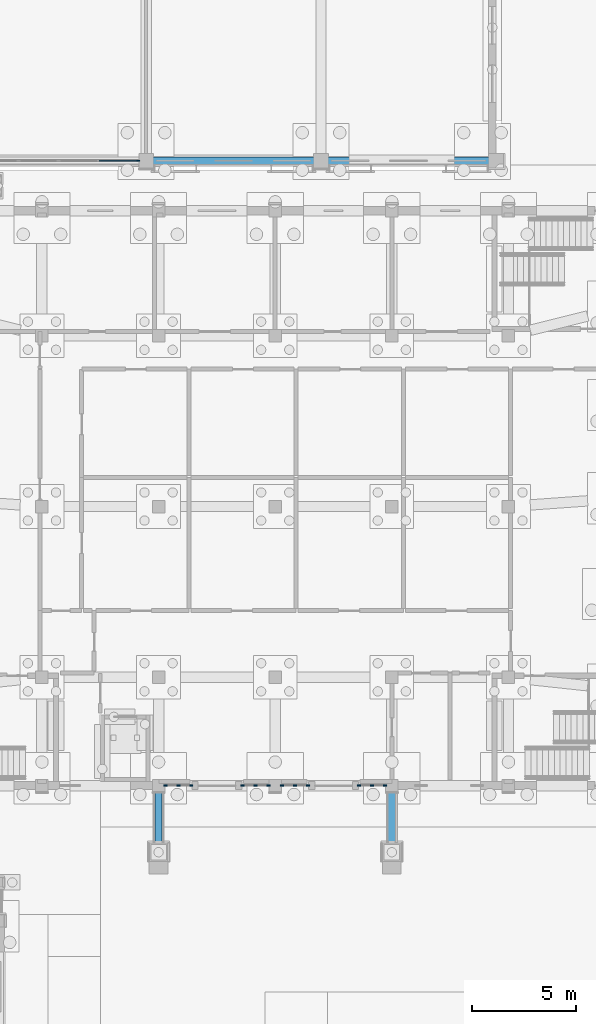
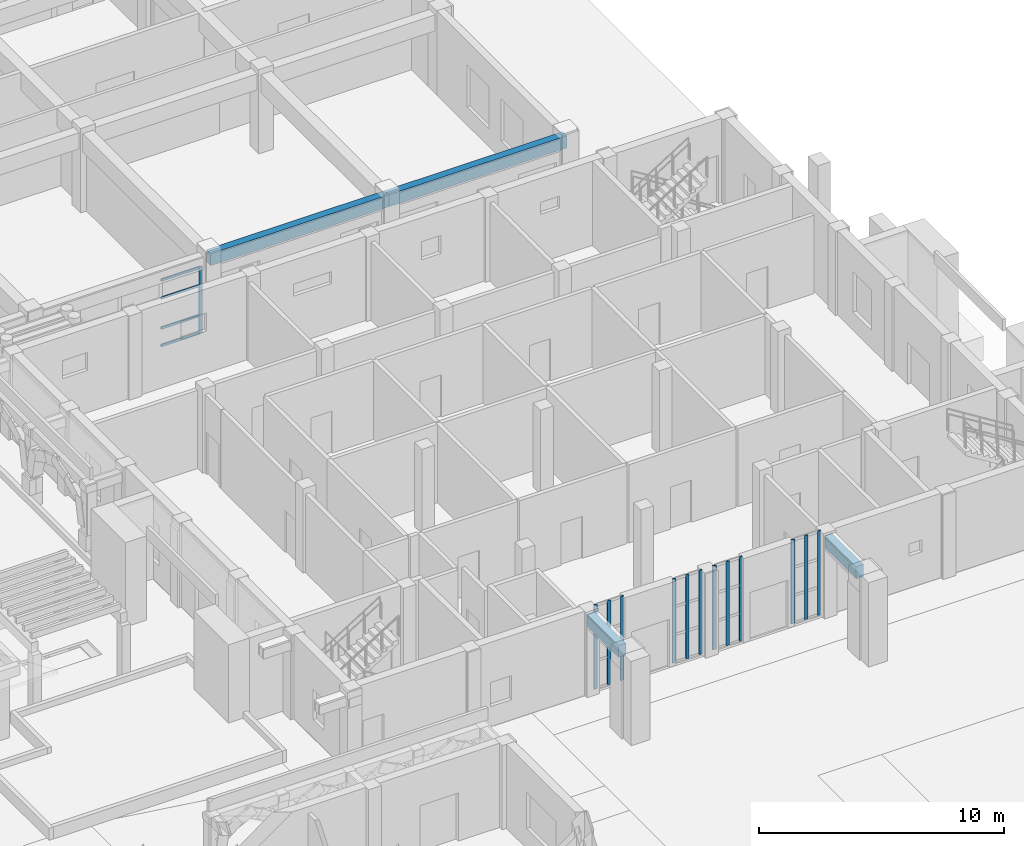
# One storey, part 42 of 112: 17 members, 4 beams, 5 elements without a shape of their own.
"""IFC4 building model written with IfcOpenShell, lengths in metres."""

import ifcopenshell
import ifcopenshell.guid

model = None  # the IFC model being written
_history = None  # IfcOwnerHistory: only IFC2X3 demands one
_inside = {}  # id of a spatial element -> (the spatial element, [elements in it])
_under = {}  # id of a project, library or spatial element -> (it, [spatial elements below it])
_declared = {}  # id of a project -> (the project, [libraries it declares])
_typed = {}  # id of a type object -> (the type object, [elements of that type])
_made_of = {}  # id of a material, layer set ... -> (it, [elements and type objects made of it])


def new_model(schema):
    """Start an empty IFC model of exactly this schema.

    Asked for "IFC4X3", IfcOpenShell would pick the latest addendum, in which some entities
    have other attributes; the version numbers below select the first issue.
    IFC2X3 requires an IfcOwnerHistory on every rooted entity: one is made here for all.
    """
    global model, _history
    if schema == "IFC4X3":
        model = ifcopenshell.file(schema_version=(4, 3, 0, 0))
    else:
        model = ifcopenshell.file(schema=schema)
    _inside.clear()
    _under.clear()
    _declared.clear()
    _typed.clear()
    _made_of.clear()
    _history = None
    if model.schema == "IFC2X3":
        org = make("IfcOrganization", Name="unknown")
        user = make(
            "IfcPersonAndOrganization",
            ThePerson=make("IfcPerson", FamilyName="unknown"),
            TheOrganization=org,
        )
        app = make(
            "IfcApplication",
            ApplicationDeveloper=org,
            Version="unknown",
            ApplicationFullName="unknown",
            ApplicationIdentifier="unknown",
        )
        _history = make(
            "IfcOwnerHistory",
            OwningUser=user,
            OwningApplication=app,
            ChangeAction="ADDED",
            CreationDate=0,
        )
    return model


def make(cls, **values):
    """One entity of the class cls with the attributes given. An attribute that is None is left unset."""
    return model.create_entity(
        cls, **{name: value for name, value in values.items() if value is not None}
    )


def rooted(cls, **values):
    """An entity with a GlobalId (a new one), such as an element, a storey or a relation."""
    return make(cls, GlobalId=ifcopenshell.guid.new(), OwnerHistory=_history, **values)


def si_unit(unit_type, name, prefix=None):
    """IfcSIUnit, for example si_unit("LENGTHUNIT", "METRE", prefix="MILLI")."""
    return make("IfcSIUnit", UnitType=unit_type, Prefix=prefix, Name=name)


def assignment(units):
    """IfcUnitAssignment: the units of a project."""
    return None if units is None else make("IfcUnitAssignment", Units=units)


def point(xyz):
    """IfcCartesianPoint."""
    return None if xyz is None else make("IfcCartesianPoint", Coordinates=xyz)


def direction(xyz):
    """IfcDirection."""
    return None if xyz is None else make("IfcDirection", DirectionRatios=xyz)


def frame(location, z_axis=None, x_axis=None):
    """IfcAxis2Placement3D, a coordinate frame: its origin and axes. An axis left out is left unset."""
    return make(
        "IfcAxis2Placement3D",
        Location=point(location),
        Axis=direction(z_axis),
        RefDirection=direction(x_axis),
    )


def frame_2d(location, x_axis=None):
    """IfcAxis2Placement2D, a coordinate frame in the plane: its origin and x axis."""
    return make(
        "IfcAxis2Placement2D", Location=point(location), RefDirection=direction(x_axis)
    )


def origin():
    """The frame at (0, 0, 0) with its axes left unset."""
    return frame((0.0, 0.0, 0.0))


def origin_2d():
    """The frame at (0, 0) in the plane with its x axis left unset."""
    return frame_2d((0.0, 0.0))


def place(relative_to, where):
    """IfcLocalPlacement: puts the frame where relative to a parent placement (None: the world)."""
    return make(
        "IfcLocalPlacement", PlacementRelTo=relative_to, RelativePlacement=where
    )


def context(
    kind, dimensions, precision=None, world=None, true_north=None, identifier=None
):
    """IfcGeometricRepresentationContext, for example the 3D "Model" context."""
    return make(
        "IfcGeometricRepresentationContext",
        ContextIdentifier=identifier,
        ContextType=kind,
        CoordinateSpaceDimension=dimensions,
        Precision=precision,
        WorldCoordinateSystem=world,
        TrueNorth=true_north,
    )


def subcontext(parent, identifier, kind, view, scale=None):
    """IfcGeometricRepresentationSubContext, for example "Body" below "Model"."""
    return make(
        "IfcGeometricRepresentationSubContext",
        ContextIdentifier=identifier,
        ContextType=kind,
        ParentContext=parent,
        TargetScale=scale,
        TargetView=view,
    )


def project(units=None, contexts=None):
    """IfcProject with its units and contexts."""
    return rooted(
        "IfcProject",
        Name="project",
        RepresentationContexts=contexts,
        UnitsInContext=assignment(units),
    )


def spatial(cls, under=None, at=None, **own):
    """A site, building, storey or space (cls), placed at a placement, below another one or the project."""
    s = rooted(cls, ObjectPlacement=at, **own)
    if under is not None:
        _under.setdefault(under.id(), (under, []))[1].append(s)
    return s


def profile(cls, at=None, kind="AREA", **sizes):
    """A parametric profile (cls). Its sizes go by their IFC names, for example OverallWidth=200.0."""
    return make(cls, ProfileType=kind, Position=at, **sizes)


def rectangle(**sizes):
    """IfcRectangleProfileDef."""
    return profile("IfcRectangleProfileDef", **sizes)


def extrude(swept, where, along, depth):
    """IfcExtrudedAreaSolid: the profile swept, set in the frame where, extruded along a direction by depth."""
    return make(
        "IfcExtrudedAreaSolid",
        SweptArea=swept,
        Position=where,
        ExtrudedDirection=direction(along),
        Depth=depth,
    )


def shape(context_of_items, identifier, shape_type, items):
    """IfcShapeRepresentation: the items that make up one representation, for example the "Body"."""
    return make(
        "IfcShapeRepresentation",
        ContextOfItems=context_of_items,
        RepresentationIdentifier=identifier,
        RepresentationType=shape_type,
        Items=items,
    )


def material(Name=None, Category=None):
    """IfcMaterial."""
    return make("IfcMaterial", Name=Name, Category=Category)


def layer(
    of_material, thickness, ventilated=None, Name=None, Category=None, Priority=None
):
    """IfcMaterialLayer: one layer of a wall or slab, of a material (None: an air gap)."""
    return make(
        "IfcMaterialLayer",
        Material=of_material,
        LayerThickness=thickness,
        IsVentilated=ventilated,
        Name=Name,
        Category=Category,
        Priority=Priority,
    )


def layer_set(layers, Name=None):
    """IfcMaterialLayerSet."""
    return make("IfcMaterialLayerSet", MaterialLayers=layers, LayerSetName=Name)


def material_profile(
    of_material, cross_section, Name=None, Category=None, Priority=None
):
    """IfcMaterialProfile: a cross section and its material."""
    return make(
        "IfcMaterialProfile",
        Name=Name,
        Material=of_material,
        Profile=cross_section,
        Priority=Priority,
        Category=Category,
    )


def profile_set(profiles, Name=None, composite=None):
    """IfcMaterialProfileSet."""
    return make(
        "IfcMaterialProfileSet",
        Name=Name,
        MaterialProfiles=profiles,
        CompositeProfile=composite,
    )


def made_of(thing, what):
    """Note that an element or type object is made of a material, layer set ...; save() writes the relation."""
    if what is not None:
        _made_of.setdefault(what.id(), (what, []))[1].append(thing)
    return thing


def type_object(cls, material=None, **own):
    """A type object (cls), such as IfcWallType, which elements share."""
    return made_of(rooted(cls, **own), material)


def element(
    cls,
    number,
    at=None,
    inside=None,
    cuts=None,
    type_object=None,
    material=None,
    context=None,
    identifier="Body",
    shape_type=None,
    held_by="IfcProductDefinitionShape",
    body=None,
    shapes=None,
    **own,
):
    """One element of the class cls, such as IfcWall. Its Tag is "e" and its number.

    at: its placement. inside: the storey or other place that contains it. cuts: it is an
    opening in that element (IfcRelVoidsElement). A single representation is given by context,
    identifier, shape_type and body (its items); several are given by shapes. held_by: the class
    of the entity that holds the representations. save() writes the other relations.
    """
    e = rooted(cls, Tag="e%d" % number, ObjectPlacement=at, **own)
    if body is not None:
        shapes = [shape(context, identifier, shape_type, body)]
    if shapes is not None:
        e.Representation = make(held_by, Representations=shapes)
    if inside is not None:
        _inside.setdefault(inside.id(), (inside, []))[1].append(e)
    if cuts is not None:
        rooted(
            "IfcRelVoidsElement", RelatingBuildingElement=cuts, RelatedOpeningElement=e
        )
    if type_object is not None:
        _typed.setdefault(type_object.id(), (type_object, []))[1].append(e)
    return made_of(e, material)


def aggregate(whole, parts):
    """IfcRelAggregates: a whole, such as a stair, and the parts it consists of."""
    return rooted("IfcRelAggregates", RelatingObject=whole, RelatedObjects=parts)


def save(model, path):
    """Write the relations noted so far, then the file.

    IfcRelAggregates (storeys below a building ...), IfcRelContainedInSpatialStructure (elements
    in a storey), IfcRelDefinesByType, IfcRelAssociatesMaterial and IfcRelDeclares: one each for
    every whole, place, type object, material and project.
    """
    for whole, parts in _under.values():
        aggregate(whole, parts)
    for where, things in _inside.values():
        rooted(
            "IfcRelContainedInSpatialStructure",
            RelatedElements=things,
            RelatingStructure=where,
        )
    for kind, things in _typed.values():
        rooted("IfcRelDefinesByType", RelatedObjects=things, RelatingType=kind)
    for what, things in _made_of.values():
        rooted("IfcRelAssociatesMaterial", RelatedObjects=things, RelatingMaterial=what)
    for by, libraries in _declared.values():
        rooted("IfcRelDeclares", RelatingContext=by, RelatedDefinitions=libraries)
    model.write(path)


model = new_model("IFC4")

# Units and contexts
model_context = context("Model", 3, precision=1e-05, world=origin(), true_north=direction((0.0, 1.0)))
body_context = subcontext(model_context, "Body", "Model", "MODEL_VIEW")
ifc_project = project(units=[si_unit("LENGTHUNIT", "METRE"), si_unit("AREAUNIT", "SQUARE_METRE"), si_unit("VOLUMEUNIT", "CUBIC_METRE"), si_unit("PLANEANGLEUNIT", "RADIAN"), si_unit("MASSUNIT", "GRAM", prefix="KILO")], contexts=[model_context])

# Site, building, storey
site_placement = place(None, origin())
site = spatial("IfcSite", under=ifc_project, at=site_placement, CompositionType="ELEMENT")
building_placement = place(site_placement, origin())
building = spatial("IfcBuilding", under=site, at=building_placement, Name="Wasatch Bagh Community Centre", CompositionType="ELEMENT")
storey_placement = place(building_placement, origin())
storey = spatial("IfcBuildingStorey", under=building, at=storey_placement, Name="L00", CompositionType="ELEMENT", Elevation=0.0)

# Beams
ifc_material_1 = material(Name="Concrete C35", Category="concrete")
ifc_material_profile_1 = material_profile(ifc_material_1, rectangle(XDim=0.35009765625, YDim=0.60009765625, at=origin_2d()), Name="RC 350x600")
ifc_profile_set_1 = profile_set([ifc_material_profile_1], Name="Concrete C35")
beam_type_1 = type_object("IfcBeamType", Name="CL-B4", PredefinedType="BEAM", material=ifc_profile_set_1)
for number, where, z_axis, x_axis, name in (
    (1, (123.39990234375, 38.0, 3.699951171875), (0.0, -1.0, 0.0), (1.0, 0.0, 0.0), "CL-B4 tie SHP1.1"),
    (2, (134.60009765625, 38.0, 3.699951171875), (0.0, -1.0, 0.0), (1.0, 0.0, 0.0), "CL-B4 tie SHP2.1"),
):
    element("IfcBeam", number, at=place(storey_placement, frame(where, z_axis=z_axis, x_axis=x_axis)), inside=storey, type_object=beam_type_1, Name=name, PredefinedType="BEAM", context=body_context, shape_type="SweptSolid", body=[
        extrude(rectangle(XDim=0.35009765625, YDim=0.60009765625, at=origin_2d()), origin(), (0.0, 0.0, 1.0), 2.550048828125),
    ])
ifc_material_profile_2 = material_profile(ifc_material_1, rectangle(XDim=0.35009765625, YDim=0.60009765625, at=origin_2d()), Name="RC 350x600")
ifc_profile_set_2 = profile_set([ifc_material_profile_2], Name="Concrete C35")
beam_type_2 = type_object("IfcBeamType", Name="LW RC 350x600", PredefinedType="BEAM", material=ifc_profile_set_2)
beam_1_placement = place(storey_placement, frame((122.800048828125, 68.199951171875, 3.6201171875), z_axis=(1.0, 0.0, 0.0), x_axis=(0.0, 1.0, 0.0)))
element("IfcBeam", 3, at=beam_1_placement, inside=storey, type_object=beam_type_2, Name="W8-W9Z", PredefinedType="BEAM", context=body_context, shape_type="SweptSolid", body=[
    extrude(rectangle(XDim=0.35009765625, YDim=0.60009765625, at=origin_2d()), origin(), (0.0, 0.0, 1.0), 8.39990234375),
])
beam_2_placement = place(storey_placement, frame((131.199951171875, 68.199951171875, 3.6201171875), z_axis=(1.0, 0.0, 0.0), x_axis=(0.0, 1.0, 0.0)))
element("IfcBeam", 4, at=beam_2_placement, inside=storey, type_object=beam_type_2, Name="W9-W10Z", PredefinedType="BEAM", context=body_context, shape_type="SweptSolid", body=[
    extrude(rectangle(XDim=0.35009765625, YDim=0.60009765625, at=origin_2d()), origin(), (0.0, 0.0, 1.0), 8.400146484375),
])

# Curtain wall, members
ifc_material_2 = material(Name="Aluminium curtain wall frame with low-iron glass", Category="aluminium")
ifc_layer_1 = layer(ifc_material_2, 0.139892578125)
ifc_layer_set_1 = layer_set([ifc_layer_1], Name="Aluminium curtain wall frame with low-iron glass")
curtain_wall_type_1 = type_object("IfcCurtainWallType", Name="LW terrace front curtain wall 140", PredefinedType="NOTDEFINED", material=ifc_layer_set_1)
curtain_wall_1_placement = place(storey_placement, origin())
curtain_wall_1 = element("IfcCurtainWall", 5, at=curtain_wall_1_placement, inside=storey, type_object=curtain_wall_type_1, Name="Curtain wall 00.05", PredefinedType="NOTDEFINED")
ifc_material_3 = material(Name="Aluminium extrusion", Category="aluminium")
ifc_material_profile_3 = material_profile(ifc_material_3, rectangle(XDim=0.06005859375, YDim=0.159912109375, at=origin_2d()), Name="AL 60x160")
ifc_profile_set_3 = profile_set([ifc_material_profile_3], Name="Aluminium extrusion")
member_type_1 = type_object("IfcMemberType", Name="LW curtain wall mullion 60x160 LW-CW3", PredefinedType="MULLION", material=ifc_profile_set_3)
member_1_placement = place(storey_placement, frame((122.419921875, 68.199951171875, 0.0), z_axis=(0.0, 0.0, 1.0), x_axis=(0.0, 1.0, 0.0)))
member_1 = element("IfcMember", 6, at=member_1_placement, type_object=member_type_1, Name="LW-CW3 mullion 5", PredefinedType="MULLION", context=body_context, shape_type="SweptSolid", body=[
    extrude(rectangle(XDim=0.06005859375, YDim=0.159912109375, at=origin_2d()), origin(), (0.0, 0.0, 1.0), 3.320068359375),
])
ifc_material_profile_4 = material_profile(ifc_material_3, rectangle(XDim=0.06005859375, YDim=0.1201171875, at=origin_2d()), Name="AL 60x120")
ifc_profile_set_4 = profile_set([ifc_material_profile_4], Name="Aluminium extrusion")
member_type_2 = type_object("IfcMemberType", Name="LW curtain wall transom 60x120 LW-CW3", PredefinedType="USERDEFINED", material=ifc_profile_set_4)
member_2_placement = place(storey_placement, frame((120.554931640625, 68.199951171875, 0.030029296875), z_axis=(1.0, 0.0, 0.0), x_axis=(0.0, 1.0, 0.0)))
member_2 = element("IfcMember", 7, at=member_2_placement, type_object=member_type_2, Name="LW-CW3 transom 4.1", ObjectType="TRANSOM", PredefinedType="USERDEFINED", context=body_context, shape_type="SweptSolid", body=[
    extrude(rectangle(XDim=0.06005859375, YDim=0.1201171875, at=origin_2d()), origin(), (0.0, 0.0, 1.0), 1.8349609375),
])
member_3_placement = place(storey_placement, frame((120.554931640625, 68.199951171875, 0.89990234375), z_axis=(1.0, 0.0, 0.0), x_axis=(0.0, 1.0, 0.0)))
member_3 = element("IfcMember", 8, at=member_3_placement, type_object=member_type_2, Name="LW-CW3 transom 4.2", ObjectType="TRANSOM", PredefinedType="USERDEFINED", context=body_context, shape_type="SweptSolid", body=[
    extrude(rectangle(XDim=0.06005859375, YDim=0.1201171875, at=origin_2d()), origin(), (0.0, 0.0, 1.0), 1.8349609375),
])
member_4_placement = place(storey_placement, frame((120.554931640625, 68.199951171875, 2.39990234375), z_axis=(1.0, 0.0, 0.0), x_axis=(0.0, 1.0, 0.0)))
member_4 = element("IfcMember", 9, at=member_4_placement, type_object=member_type_2, Name="LW-CW3 transom 4.3", ObjectType="TRANSOM", PredefinedType="USERDEFINED", context=body_context, shape_type="SweptSolid", body=[
    extrude(rectangle(XDim=0.06005859375, YDim=0.1201171875, at=origin_2d()), origin(), (0.0, 0.0, 1.0), 1.8349609375),
])
member_5_placement = place(storey_placement, frame((120.554931640625, 68.199951171875, 3.2900390625), z_axis=(1.0, 0.0, 0.0), x_axis=(0.0, 1.0, 0.0)))
member_5 = element("IfcMember", 10, at=member_5_placement, type_object=member_type_2, Name="LW-CW3 transom 4.4", ObjectType="TRANSOM", PredefinedType="USERDEFINED", context=body_context, shape_type="SweptSolid", body=[
    extrude(rectangle(XDim=0.06005859375, YDim=0.1201171875, at=origin_2d()), origin(), (0.0, 0.0, 1.0), 1.8349609375),
])
aggregate(curtain_wall_1, [member_1, member_2, member_3, member_4, member_5])

ifc_material_4 = material(Name="Aluminium alloy 6063-T6", Category="aluminium")
ifc_layer_2 = layer(ifc_material_4, 0.10009765625)
ifc_layer_set_2 = layer_set([ifc_layer_2], Name="Aluminium alloy 6063-T6")
curtain_wall_type_2 = type_object("IfcCurtainWallType", Name="SH-CW1", PredefinedType="NOTDEFINED", material=ifc_layer_set_2)
curtain_wall_2_placement = place(storey_placement, origin())
curtain_wall_2 = element("IfcCurtainWall", 11, at=curtain_wall_2_placement, inside=storey, type_object=curtain_wall_type_2, Name="Curtain wall SH-CW1", PredefinedType="NOTDEFINED")
ifc_material_profile_5 = material_profile(ifc_material_4, rectangle(XDim=0.06005859375, YDim=0.159912109375, at=origin_2d()), Name="AL 60x160")
ifc_profile_set_5 = profile_set([ifc_material_profile_5], Name="Aluminium alloy 6063-T6")
member_type_3 = type_object("IfcMemberType", Name="SH-CW1 mullion", PredefinedType="MULLION", material=ifc_profile_set_5)
member_6_placement = place(storey_placement, frame((123.72998046875, 38.199951171875, 0.0), z_axis=(0.0, 0.0, 1.0), x_axis=(0.0, 1.0, 0.0)))
member_6 = element("IfcMember", 12, at=member_6_placement, type_object=member_type_3, Name="SH-CW1 mullion 1", PredefinedType="MULLION", context=body_context, shape_type="SweptSolid", body=[
    extrude(rectangle(XDim=0.06005859375, YDim=0.159912109375, at=origin_2d()), origin(), (0.0, 0.0, 1.0), 4.199951171875),
])
member_7_placement = place(storey_placement, frame((124.35009765625, 38.199951171875, 0.0), z_axis=(0.0, 0.0, 1.0), x_axis=(0.0, 1.0, 0.0)))
member_7 = element("IfcMember", 13, at=member_7_placement, type_object=member_type_3, Name="SH-CW1 mullion 2", PredefinedType="MULLION", context=body_context, shape_type="SweptSolid", body=[
    extrude(rectangle(XDim=0.06005859375, YDim=0.159912109375, at=origin_2d()), origin(), (0.0, 0.0, 1.0), 4.199951171875),
])
member_8_placement = place(storey_placement, frame((124.969970703125, 38.199951171875, 0.0), z_axis=(0.0, 0.0, 1.0), x_axis=(0.0, 1.0, 0.0)))
member_8 = element("IfcMember", 14, at=member_8_placement, type_object=member_type_3, Name="SH-CW1 mullion 3", PredefinedType="MULLION", context=body_context, shape_type="SweptSolid", body=[
    extrude(rectangle(XDim=0.06005859375, YDim=0.159912109375, at=origin_2d()), origin(), (0.0, 0.0, 1.0), 4.199951171875),
])
aggregate(curtain_wall_2, [member_6, member_7, member_8])

curtain_wall_3_placement = place(storey_placement, origin())
curtain_wall_3 = element("IfcCurtainWall", 15, at=curtain_wall_3_placement, inside=storey, type_object=curtain_wall_type_2, Name="Curtain wall SH-CW1", PredefinedType="NOTDEFINED")
member_9_placement = place(storey_placement, frame((127.429931640625, 38.199951171875, 0.0), z_axis=(0.0, 0.0, 1.0), x_axis=(0.0, 1.0, 0.0)))
member_9 = element("IfcMember", 16, at=member_9_placement, type_object=member_type_3, Name="SH-CW1 mullion 1", PredefinedType="MULLION", context=body_context, shape_type="SweptSolid", body=[
    extrude(rectangle(XDim=0.06005859375, YDim=0.159912109375, at=origin_2d()), origin(), (0.0, 0.0, 1.0), 4.199951171875),
])
member_10_placement = place(storey_placement, frame((128.050048828125, 38.199951171875, 0.0), z_axis=(0.0, 0.0, 1.0), x_axis=(0.0, 1.0, 0.0)))
member_10 = element("IfcMember", 17, at=member_10_placement, type_object=member_type_3, Name="SH-CW1 mullion 2", PredefinedType="MULLION", context=body_context, shape_type="SweptSolid", body=[
    extrude(rectangle(XDim=0.06005859375, YDim=0.159912109375, at=origin_2d()), origin(), (0.0, 0.0, 1.0), 4.199951171875),
])
member_11_placement = place(storey_placement, frame((128.669921875, 38.199951171875, 0.0), z_axis=(0.0, 0.0, 1.0), x_axis=(0.0, 1.0, 0.0)))
member_11 = element("IfcMember", 18, at=member_11_placement, type_object=member_type_3, Name="SH-CW1 mullion 3", PredefinedType="MULLION", context=body_context, shape_type="SweptSolid", body=[
    extrude(rectangle(XDim=0.06005859375, YDim=0.159912109375, at=origin_2d()), origin(), (0.0, 0.0, 1.0), 4.199951171875),
])
aggregate(curtain_wall_3, [member_9, member_10, member_11])

curtain_wall_4_placement = place(storey_placement, origin())
curtain_wall_4 = element("IfcCurtainWall", 19, at=curtain_wall_4_placement, inside=storey, type_object=curtain_wall_type_2, Name="Curtain wall SH-CW1", PredefinedType="NOTDEFINED")
member_12_placement = place(storey_placement, frame((129.330078125, 38.199951171875, 0.0), z_axis=(0.0, 0.0, 1.0), x_axis=(0.0, 1.0, 0.0)))
member_12 = element("IfcMember", 20, at=member_12_placement, type_object=member_type_3, Name="SH-CW1 mullion 1", PredefinedType="MULLION", context=body_context, shape_type="SweptSolid", body=[
    extrude(rectangle(XDim=0.06005859375, YDim=0.159912109375, at=origin_2d()), origin(), (0.0, 0.0, 1.0), 4.199951171875),
])
member_13_placement = place(storey_placement, frame((129.949951171875, 38.199951171875, 0.0), z_axis=(0.0, 0.0, 1.0), x_axis=(0.0, 1.0, 0.0)))
member_13 = element("IfcMember", 21, at=member_13_placement, type_object=member_type_3, Name="SH-CW1 mullion 2", PredefinedType="MULLION", context=body_context, shape_type="SweptSolid", body=[
    extrude(rectangle(XDim=0.06005859375, YDim=0.159912109375, at=origin_2d()), origin(), (0.0, 0.0, 1.0), 4.199951171875),
])
member_14_placement = place(storey_placement, frame((130.570068359375, 38.199951171875, 0.0), z_axis=(0.0, 0.0, 1.0), x_axis=(0.0, 1.0, 0.0)))
member_14 = element("IfcMember", 22, at=member_14_placement, type_object=member_type_3, Name="SH-CW1 mullion 3", PredefinedType="MULLION", context=body_context, shape_type="SweptSolid", body=[
    extrude(rectangle(XDim=0.06005859375, YDim=0.159912109375, at=origin_2d()), origin(), (0.0, 0.0, 1.0), 4.199951171875),
])
aggregate(curtain_wall_4, [member_12, member_13, member_14])

curtain_wall_5_placement = place(storey_placement, origin())
curtain_wall_5 = element("IfcCurtainWall", 23, at=curtain_wall_5_placement, inside=storey, type_object=curtain_wall_type_2, Name="Curtain wall SH-CW1", PredefinedType="NOTDEFINED")
member_15_placement = place(storey_placement, frame((133.030029296875, 38.199951171875, 0.0), z_axis=(0.0, 0.0, 1.0), x_axis=(0.0, 1.0, 0.0)))
member_15 = element("IfcMember", 24, at=member_15_placement, type_object=member_type_3, Name="SH-CW1 mullion 1", PredefinedType="MULLION", context=body_context, shape_type="SweptSolid", body=[
    extrude(rectangle(XDim=0.06005859375, YDim=0.159912109375, at=origin_2d()), origin(), (0.0, 0.0, 1.0), 4.199951171875),
])
member_16_placement = place(storey_placement, frame((133.64990234375, 38.199951171875, 0.0), z_axis=(0.0, 0.0, 1.0), x_axis=(0.0, 1.0, 0.0)))
member_16 = element("IfcMember", 25, at=member_16_placement, type_object=member_type_3, Name="SH-CW1 mullion 2", PredefinedType="MULLION", context=body_context, shape_type="SweptSolid", body=[
    extrude(rectangle(XDim=0.06005859375, YDim=0.159912109375, at=origin_2d()), origin(), (0.0, 0.0, 1.0), 4.199951171875),
])
member_17_placement = place(storey_placement, frame((134.27001953125, 38.199951171875, 0.0), z_axis=(0.0, 0.0, 1.0), x_axis=(0.0, 1.0, 0.0)))
member_17 = element("IfcMember", 26, at=member_17_placement, type_object=member_type_3, Name="SH-CW1 mullion 3", PredefinedType="MULLION", context=body_context, shape_type="SweptSolid", body=[
    extrude(rectangle(XDim=0.06005859375, YDim=0.159912109375, at=origin_2d()), origin(), (0.0, 0.0, 1.0), 4.199951171875),
])
aggregate(curtain_wall_5, [member_15, member_16, member_17])

save(model, "model.ifc")
